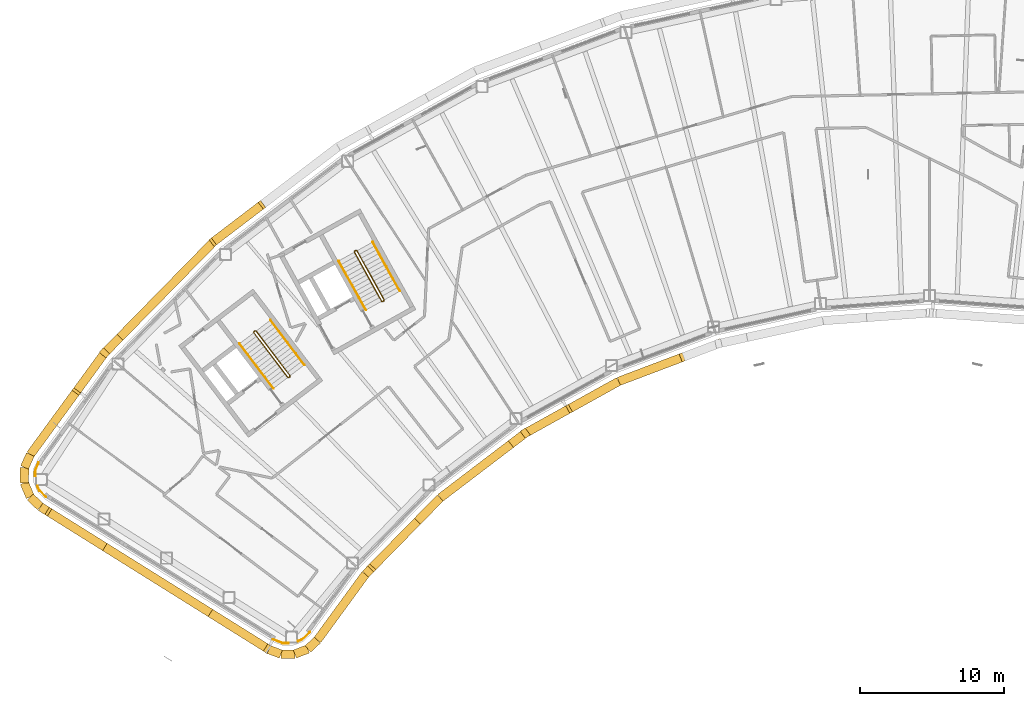
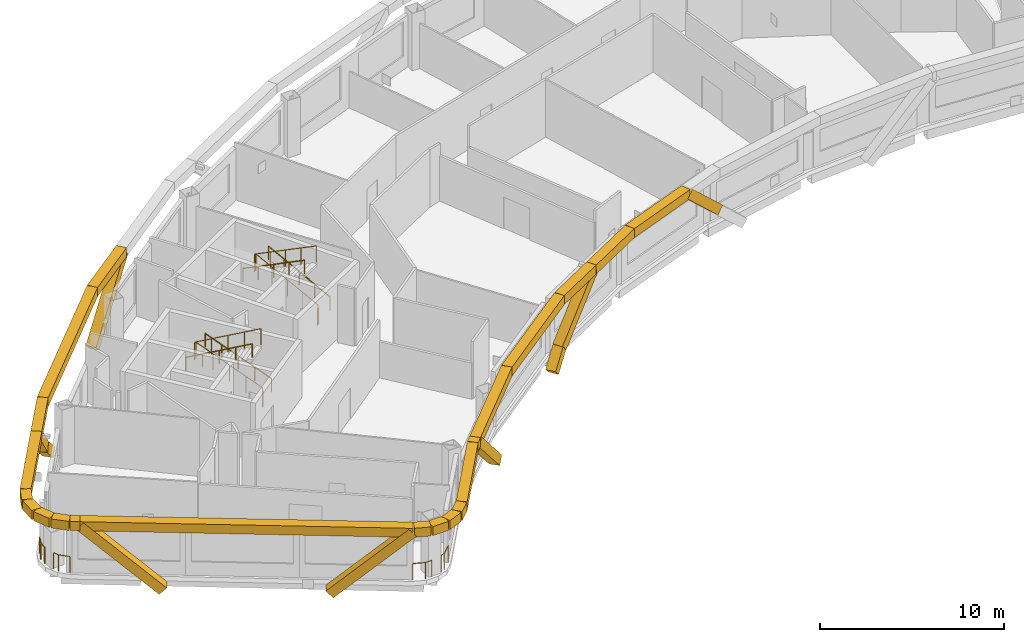
# One storey, part 18 of 21: 30 coverings, 10 railings.
"""IFC4 building model written with IfcOpenShell, lengths in metres."""

import ifcopenshell
import ifcopenshell.guid

model = None  # the IFC model being written
_history = None  # IfcOwnerHistory: only IFC2X3 demands one
_inside = {}  # id of a spatial element -> (the spatial element, [elements in it])
_under = {}  # id of a project, library or spatial element -> (it, [spatial elements below it])
_declared = {}  # id of a project -> (the project, [libraries it declares])
_typed = {}  # id of a type object -> (the type object, [elements of that type])
_made_of = {}  # id of a material, layer set ... -> (it, [elements and type objects made of it])


def new_model(schema):
    """Start an empty IFC model of exactly this schema.

    Asked for "IFC4X3", IfcOpenShell would pick the latest addendum, in which some entities
    have other attributes; the version numbers below select the first issue.
    IFC2X3 requires an IfcOwnerHistory on every rooted entity: one is made here for all.
    """
    global model, _history
    if schema == "IFC4X3":
        model = ifcopenshell.file(schema_version=(4, 3, 0, 0))
    else:
        model = ifcopenshell.file(schema=schema)
    _inside.clear()
    _under.clear()
    _declared.clear()
    _typed.clear()
    _made_of.clear()
    _history = None
    if model.schema == "IFC2X3":
        org = make("IfcOrganization", Name="unknown")
        user = make(
            "IfcPersonAndOrganization",
            ThePerson=make("IfcPerson", FamilyName="unknown"),
            TheOrganization=org,
        )
        app = make(
            "IfcApplication",
            ApplicationDeveloper=org,
            Version="unknown",
            ApplicationFullName="unknown",
            ApplicationIdentifier="unknown",
        )
        _history = make(
            "IfcOwnerHistory",
            OwningUser=user,
            OwningApplication=app,
            ChangeAction="ADDED",
            CreationDate=0,
        )
    return model


def make(cls, **values):
    """One entity of the class cls with the attributes given. An attribute that is None is left unset."""
    return model.create_entity(
        cls, **{name: value for name, value in values.items() if value is not None}
    )


def rooted(cls, **values):
    """An entity with a GlobalId (a new one), such as an element, a storey or a relation."""
    return make(cls, GlobalId=ifcopenshell.guid.new(), OwnerHistory=_history, **values)


def si_unit(unit_type, name, prefix=None):
    """IfcSIUnit, for example si_unit("LENGTHUNIT", "METRE", prefix="MILLI")."""
    return make("IfcSIUnit", UnitType=unit_type, Prefix=prefix, Name=name)


def assignment(units):
    """IfcUnitAssignment: the units of a project."""
    return None if units is None else make("IfcUnitAssignment", Units=units)


def point(xyz):
    """IfcCartesianPoint."""
    return None if xyz is None else make("IfcCartesianPoint", Coordinates=xyz)


def direction(xyz):
    """IfcDirection."""
    return None if xyz is None else make("IfcDirection", DirectionRatios=xyz)


def frame(location, z_axis=None, x_axis=None):
    """IfcAxis2Placement3D, a coordinate frame: its origin and axes. An axis left out is left unset."""
    return make(
        "IfcAxis2Placement3D",
        Location=point(location),
        Axis=direction(z_axis),
        RefDirection=direction(x_axis),
    )


def frame_2d(location, x_axis=None):
    """IfcAxis2Placement2D, a coordinate frame in the plane: its origin and x axis."""
    return make(
        "IfcAxis2Placement2D", Location=point(location), RefDirection=direction(x_axis)
    )


def origin():
    """The frame at (0, 0, 0) with its axes left unset."""
    return frame((0.0, 0.0, 0.0))


def origin_2d():
    """The frame at (0, 0) in the plane with its x axis left unset."""
    return frame_2d((0.0, 0.0))


def place(relative_to, where):
    """IfcLocalPlacement: puts the frame where relative to a parent placement (None: the world)."""
    return make(
        "IfcLocalPlacement", PlacementRelTo=relative_to, RelativePlacement=where
    )


def context(
    kind, dimensions, precision=None, world=None, true_north=None, identifier=None
):
    """IfcGeometricRepresentationContext, for example the 3D "Model" context."""
    return make(
        "IfcGeometricRepresentationContext",
        ContextIdentifier=identifier,
        ContextType=kind,
        CoordinateSpaceDimension=dimensions,
        Precision=precision,
        WorldCoordinateSystem=world,
        TrueNorth=true_north,
    )


def subcontext(parent, identifier, kind, view, scale=None):
    """IfcGeometricRepresentationSubContext, for example "Body" below "Model"."""
    return make(
        "IfcGeometricRepresentationSubContext",
        ContextIdentifier=identifier,
        ContextType=kind,
        ParentContext=parent,
        TargetScale=scale,
        TargetView=view,
    )


def project(units=None, contexts=None):
    """IfcProject with its units and contexts."""
    return rooted(
        "IfcProject",
        Name="project",
        RepresentationContexts=contexts,
        UnitsInContext=assignment(units),
    )


def spatial(cls, under=None, at=None, **own):
    """A site, building, storey or space (cls), placed at a placement, below another one or the project."""
    s = rooted(cls, ObjectPlacement=at, **own)
    if under is not None:
        _under.setdefault(under.id(), (under, []))[1].append(s)
    return s


def profile(cls, at=None, kind="AREA", **sizes):
    """A parametric profile (cls). Its sizes go by their IFC names, for example OverallWidth=200.0."""
    return make(cls, ProfileType=kind, Position=at, **sizes)


def rectangle(**sizes):
    """IfcRectangleProfileDef."""
    return profile("IfcRectangleProfileDef", **sizes)


def circle(**sizes):
    """IfcCircleProfileDef."""
    return profile("IfcCircleProfileDef", **sizes)


def extrude(swept, where, along, depth):
    """IfcExtrudedAreaSolid: the profile swept, set in the frame where, extruded along a direction by depth."""
    return make(
        "IfcExtrudedAreaSolid",
        SweptArea=swept,
        Position=where,
        ExtrudedDirection=direction(along),
        Depth=depth,
    )


def shape(context_of_items, identifier, shape_type, items):
    """IfcShapeRepresentation: the items that make up one representation, for example the "Body"."""
    return make(
        "IfcShapeRepresentation",
        ContextOfItems=context_of_items,
        RepresentationIdentifier=identifier,
        RepresentationType=shape_type,
        Items=items,
    )


def material(Name=None, Category=None):
    """IfcMaterial."""
    return make("IfcMaterial", Name=Name, Category=Category)


def material_profile(
    of_material, cross_section, Name=None, Category=None, Priority=None
):
    """IfcMaterialProfile: a cross section and its material."""
    return make(
        "IfcMaterialProfile",
        Name=Name,
        Material=of_material,
        Profile=cross_section,
        Priority=Priority,
        Category=Category,
    )


def profile_set(profiles, Name=None, composite=None):
    """IfcMaterialProfileSet."""
    return make(
        "IfcMaterialProfileSet",
        Name=Name,
        MaterialProfiles=profiles,
        CompositeProfile=composite,
    )


def made_of(thing, what):
    """Note that an element or type object is made of a material, layer set ...; save() writes the relation."""
    if what is not None:
        _made_of.setdefault(what.id(), (what, []))[1].append(thing)
    return thing


def type_object(cls, material=None, **own):
    """A type object (cls), such as IfcWallType, which elements share."""
    return made_of(rooted(cls, **own), material)


def element(
    cls,
    number,
    at=None,
    inside=None,
    cuts=None,
    type_object=None,
    material=None,
    context=None,
    identifier="Body",
    shape_type=None,
    held_by="IfcProductDefinitionShape",
    body=None,
    shapes=None,
    **own,
):
    """One element of the class cls, such as IfcWall. Its Tag is "e" and its number.

    at: its placement. inside: the storey or other place that contains it. cuts: it is an
    opening in that element (IfcRelVoidsElement). A single representation is given by context,
    identifier, shape_type and body (its items); several are given by shapes. held_by: the class
    of the entity that holds the representations. save() writes the other relations.
    """
    e = rooted(cls, Tag="e%d" % number, ObjectPlacement=at, **own)
    if body is not None:
        shapes = [shape(context, identifier, shape_type, body)]
    if shapes is not None:
        e.Representation = make(held_by, Representations=shapes)
    if inside is not None:
        _inside.setdefault(inside.id(), (inside, []))[1].append(e)
    if cuts is not None:
        rooted(
            "IfcRelVoidsElement", RelatingBuildingElement=cuts, RelatedOpeningElement=e
        )
    if type_object is not None:
        _typed.setdefault(type_object.id(), (type_object, []))[1].append(e)
    return made_of(e, material)


def aggregate(whole, parts):
    """IfcRelAggregates: a whole, such as a stair, and the parts it consists of."""
    return rooted("IfcRelAggregates", RelatingObject=whole, RelatedObjects=parts)


def save(model, path):
    """Write the relations noted so far, then the file.

    IfcRelAggregates (storeys below a building ...), IfcRelContainedInSpatialStructure (elements
    in a storey), IfcRelDefinesByType, IfcRelAssociatesMaterial and IfcRelDeclares: one each for
    every whole, place, type object, material and project.
    """
    for whole, parts in _under.values():
        aggregate(whole, parts)
    for where, things in _inside.values():
        rooted(
            "IfcRelContainedInSpatialStructure",
            RelatedElements=things,
            RelatingStructure=where,
        )
    for kind, things in _typed.values():
        rooted("IfcRelDefinesByType", RelatedObjects=things, RelatingType=kind)
    for what, things in _made_of.values():
        rooted("IfcRelAssociatesMaterial", RelatedObjects=things, RelatingMaterial=what)
    for by, libraries in _declared.values():
        rooted("IfcRelDeclares", RelatingContext=by, RelatedDefinitions=libraries)
    model.write(path)


model = new_model("IFC4")

# Units and contexts
model_context = context("Model", 3, precision=1e-05, world=origin(), true_north=direction((0.0, 1.0)))
body_context = subcontext(model_context, "Body", "Model", "MODEL_VIEW")
ifc_project = project(units=[si_unit("LENGTHUNIT", "METRE"), si_unit("AREAUNIT", "SQUARE_METRE"), si_unit("VOLUMEUNIT", "CUBIC_METRE"), si_unit("PLANEANGLEUNIT", "RADIAN"), si_unit("MASSUNIT", "GRAM", prefix="KILO")], contexts=[model_context])

# Site, building, storey
site_placement = place(None, origin())
site = spatial("IfcSite", under=ifc_project, at=site_placement, CompositionType="ELEMENT")
building_placement = place(site_placement, origin())
building = spatial("IfcBuilding", under=site, at=building_placement, Name="Tuul Gate Civic Tower", CompositionType="ELEMENT")
storey_placement = place(building_placement, frame((0.0, 0.0, 273.60009765625)))
storey = spatial("IfcBuildingStorey", under=building, at=storey_placement, Name="Level 62", CompositionType="ELEMENT", Elevation=273.60009765625)

# Railings
ifc_material_1 = material(Name="Stainless steel", Category="steel")
railing_type_1 = type_object("IfcRailingType", Name="Edge guard", PredefinedType="GUARDRAIL", material=ifc_material_1)
railing_1_placement = place(storey_placement, frame((-50.83740234375, -19.476806640625, 0.0)))
element("IfcRailing", 1, at=railing_1_placement, inside=storey, type_object=railing_type_1, Name="Guard", PredefinedType="GUARDRAIL", context=body_context, shape_type="SweptSolid", body=[
    extrude(circle(Radius=0.02392578125, at=origin_2d()), frame((0.0, 0.0, 1.076171875), z_axis=(-0.412055473919, -0.911158760268, 0.0), x_axis=(0.911158760268, -0.412055473919, 0.0)), (0.0, 0.0, 1.0), 0.55810546875),
    extrude(circle(Radius=0.02392578125, at=origin_2d()), frame((-0.22998046875, -0.508544921875, 1.076171875), z_axis=(-0.014779511202, -0.999890777059, 0.0), x_axis=(0.999890777059, -0.014779511202, 0.0)), (0.0, 0.0, 1.0), 0.429443359375),
    extrude(circle(Radius=0.02099609375, at=origin_2d()), origin(), (0.0, 0.0, 1.0), 1.052001953125),
    extrude(circle(Radius=0.02099609375, at=origin_2d()), frame((-0.22998046875, -0.508544921875, 0.0)), (0.0, 0.0, 1.0), 1.052001953125),
    extrude(circle(Radius=0.02099609375, at=origin_2d()), frame((-0.236328125, -0.93798828125, 0.0)), (0.0, 0.0, 1.0), 1.052001953125),
])
railing_2_placement = place(storey_placement, frame((-50.9189453125, -21.1201171875, 0.0)))
element("IfcRailing", 2, at=railing_2_placement, inside=storey, type_object=railing_type_1, Name="Guard", PredefinedType="GUARDRAIL", context=body_context, shape_type="SweptSolid", body=[
    extrude(circle(Radius=0.02392578125, at=origin_2d()), frame((0.0, 0.0, 1.076171875), z_axis=(0.38670695725, -0.922202650839, 0.0), x_axis=(0.922202650839, 0.38670695725, 0.0)), (0.0, 0.0, 1.0), 0.339599609375),
    extrude(circle(Radius=0.02392578125, at=origin_2d()), frame((0.13134765625, -0.313232421875, 1.076171875), z_axis=(0.721650837963, -0.692257226808, 0.0), x_axis=(0.692257226808, 0.721650837963, 0.0)), (0.0, 0.0, 1.0), 0.64794921875),
    extrude(circle(Radius=0.02099609375, at=origin_2d()), origin(), (0.0, 0.0, 1.0), 1.052001953125),
    extrude(circle(Radius=0.02099609375, at=origin_2d()), frame((0.13134765625, -0.313232421875, 0.0)), (0.0, 0.0, 1.0), 1.052001953125),
    extrude(circle(Radius=0.02099609375, at=origin_2d()), frame((0.598876953125, -0.76171875, 0.0)), (0.0, 0.0, 1.0), 1.052001953125),
])
railing_3_placement = place(storey_placement, frame((-34.546630859375, -31.767333984375, 0.0)))
element("IfcRailing", 3, at=railing_3_placement, inside=storey, type_object=railing_type_1, Name="Guard", PredefinedType="GUARDRAIL", context=body_context, shape_type="SweptSolid", body=[
    extrude(circle(Radius=0.02392578125, at=origin_2d()), frame((0.0, 0.0, 1.076171875), z_axis=(0.929818626169, -0.36801810068, 0.0), x_axis=(0.36801810068, 0.929818626169, 0.0)), (0.0, 0.0, 1.0), 0.724365234375),
    extrude(circle(Radius=0.02392578125, at=origin_2d()), frame((0.673583984375, -0.2666015625, 1.076171875), z_axis=(0.999996867188, 0.002503121069, 0.0), x_axis=(-0.002503121069, 0.999996867188, 0.0)), (0.0, 0.0, 1.0), 0.39013671875),
    extrude(circle(Radius=0.02099609375, at=origin_2d()), origin(), (0.0, 0.0, 1.0), 1.052001953125),
    extrude(circle(Radius=0.02099609375, at=origin_2d()), frame((0.673583984375, -0.2666015625, 0.0)), (0.0, 0.0, 1.0), 1.052001953125),
    extrude(circle(Radius=0.02099609375, at=origin_2d()), frame((1.063720703125, -0.265625, 0.0)), (0.0, 0.0, 1.0), 1.052001953125),
])
railing_4_placement = place(storey_placement, frame((-32.81787109375, -31.88623046875, 0.0)))
element("IfcRailing", 4, at=railing_4_placement, inside=storey, type_object=railing_type_1, Name="Guard", PredefinedType="GUARDRAIL", context=body_context, shape_type="SweptSolid", body=[
    extrude(circle(Radius=0.02392578125, at=origin_2d()), frame((0.0, 0.0, 1.076171875), z_axis=(0.929236264052, 0.369486083055, 0.0), x_axis=(-0.369486083055, 0.929236264052, 0.0)), (0.0, 0.0, 1.0), 0.287353515625),
    extrude(circle(Radius=0.02392578125, at=origin_2d()), frame((0.26708984375, 0.106201171875, 1.076171875), z_axis=(0.731330397195, 0.682023350142, 0.0), x_axis=(-0.682023350142, 0.731330397195, 0.0)), (0.0, 0.0, 1.0), 0.7080078125),
    extrude(circle(Radius=0.02392578125, at=origin_2d()), frame((0.784912109375, 0.589111328125, 1.076171875), z_axis=(0.590903378141, 0.806742336624, 0.0), x_axis=(-0.806742336624, 0.590903378141, 0.0)), (0.0, 0.0, 1.0), 0.069091796875),
    extrude(circle(Radius=0.02099609375, at=origin_2d()), origin(), (0.0, 0.0, 1.0), 1.052001953125),
    extrude(circle(Radius=0.02099609375, at=origin_2d()), frame((0.26708984375, 0.106201171875, 0.0)), (0.0, 0.0, 1.0), 1.052001953125),
    extrude(circle(Radius=0.02099609375, at=origin_2d()), frame((0.784912109375, 0.589111328125, 0.0)), (0.0, 0.0, 1.0), 1.052001953125),
    extrude(circle(Radius=0.02099609375, at=origin_2d()), frame((0.82568359375, 0.644775390625, 0.0)), (0.0, 0.0, 1.0), 1.052001953125),
])
ifc_material_2 = material(Name="Painted steel", Category="steel")
railing_type_2 = type_object("IfcRailingType", Name="Stair guard", PredefinedType="GUARDRAIL", material=ifc_material_2)
railing_5_placement = place(storey_placement, frame((-33.382080078125, -13.515380859375, 0.0)))
element("IfcRailing", 5, at=railing_5_placement, inside=storey, type_object=railing_type_2, Name="Level 62 ST-1 stair guard 1", PredefinedType="GUARDRAIL", context=body_context, shape_type="SweptSolid", body=[
    extrude(circle(Radius=0.02392578125, at=origin_2d()), frame((0.0, 0.0, 1.076171875), z_axis=(-0.795879841968, -0.605454603706, 0.0), x_axis=(0.605454603706, -0.795879841968, 0.0)), (0.0, 0.0, 1.0), 0.10009765625),
    extrude(circle(Radius=0.02392578125, at=origin_2d()), frame((-0.07958984375, -0.060546875, 1.076171875), z_axis=(0.408991890351, 0.599481263939, 0.688002796371), x_axis=(-0.826063974707, 0.563576356576, 0.0)), (0.0, 0.0, 1.0), 0.2177734375),
    extrude(circle(Radius=0.02392578125, at=origin_2d()), frame((0.009521484375, 0.070068359375, 1.22607421875), z_axis=(-0.541824460341, 0.711645023348, 0.447199748346), x_axis=(-0.795637165283, -0.60577347352, 0.0)), (0.0, 0.0, 1.0), 4.3603515625),
    extrude(circle(Radius=0.02392578125, at=origin_2d()), frame((-2.35302734375, 3.173095703125, 3.17578125), z_axis=(-0.990893089246, 0.134650977284, 0.0), x_axis=(-0.134650977284, -0.990893089246, 0.0)), (0.0, 0.0, 1.0), 0.07080078125),
    extrude(circle(Radius=0.02392578125, at=origin_2d()), frame((-2.423095703125, 3.1826171875, 3.17578125), z_axis=(-0.793802879778, -0.60817512943, 0.0), x_axis=(0.60817512943, -0.793802879778, 0.0)), (0.0, 0.0, 1.0), 0.099853515625),
    extrude(circle(Radius=0.02392578125, at=origin_2d()), frame((-2.50244140625, 3.121826171875, 3.17578125), z_axis=(-0.057370624079, -0.422188951554, 0.904690610473), x_axis=(0.990893089246, -0.134650977284, 0.0)), (0.0, 0.0, 1.0), 0.166015625),
    extrude(circle(Radius=0.02392578125, at=origin_2d()), frame((-2.511962890625, 3.0517578125, 3.326171875), z_axis=(0.541806494602, -0.71163897684, 0.447231136047), x_axis=(0.795644365679, 0.605764016233, 0.0)), (0.0, 0.0, 1.0), 4.360107421875),
    extrude(circle(Radius=0.02099609375, at=origin_2d()), origin(), (0.0, 0.0, 1.0), 1.052001953125),
    extrude(circle(Radius=0.02099609375, at=origin_2d()), frame((-0.07958984375, -0.060546875, 0.0)), (0.0, 0.0, 1.0), 1.052001953125),
    extrude(circle(Radius=0.02099609375, at=origin_2d()), frame((0.009521484375, 0.070068359375, 0.14990234375)), (0.0, 0.0, 1.0), 1.052001953125),
    extrude(circle(Radius=0.02099609375, at=origin_2d()), frame((-0.5810546875, 0.845703125, 0.637451171875)), (0.0, 0.0, 1.0), 1.052001953125),
    extrude(circle(Radius=0.02099609375, at=origin_2d()), frame((-1.171875, 1.62158203125, 1.125)), (0.0, 0.0, 1.0), 1.052001953125),
    extrude(circle(Radius=0.02099609375, at=origin_2d()), frame((-1.762451171875, 2.3974609375, 1.6123046875)), (0.0, 0.0, 1.0), 1.052001953125),
    extrude(circle(Radius=0.02099609375, at=origin_2d()), frame((-2.35302734375, 3.173095703125, 2.099853515625)), (0.0, 0.0, 1.0), 1.052001953125),
    extrude(circle(Radius=0.02099609375, at=origin_2d()), frame((-2.423095703125, 3.1826171875, 2.099853515625)), (0.0, 0.0, 1.0), 1.052001953125),
    extrude(circle(Radius=0.02099609375, at=origin_2d()), frame((-2.50244140625, 3.121826171875, 2.099853515625)), (0.0, 0.0, 1.0), 1.052001953125),
    extrude(circle(Radius=0.02099609375, at=origin_2d()), frame((-2.511962890625, 3.0517578125, 2.25)), (0.0, 0.0, 1.0), 1.052001953125),
    extrude(circle(Radius=0.02099609375, at=origin_2d()), frame((-1.92138671875, 2.276123046875, 2.737548828125)), (0.0, 0.0, 1.0), 1.052001953125),
    extrude(circle(Radius=0.02099609375, at=origin_2d()), frame((-1.330810546875, 1.50048828125, 3.22509765625)), (0.0, 0.0, 1.0), 1.052001953125),
    extrude(circle(Radius=0.02099609375, at=origin_2d()), frame((-0.740234375, 0.724609375, 3.71240234375)), (0.0, 0.0, 1.0), 1.052001953125),
    extrude(circle(Radius=0.02099609375, at=origin_2d()), frame((-0.149658203125, -0.051025390625, 4.199951171875)), (0.0, 0.0, 1.0), 1.052001953125),
])
railing_6_placement = place(storey_placement, frame((-26.857666015625, -8.247314453125, 0.0)))
element("IfcRailing", 6, at=railing_6_placement, inside=storey, type_object=railing_type_2, Name="Level 62 ST-2 stair guard 1", PredefinedType="GUARDRAIL", context=body_context, shape_type="SweptSolid", body=[
    extrude(circle(Radius=0.02392578125, at=origin_2d()), frame((0.0, 0.0, 1.076171875), z_axis=(-0.874616555828, -0.48481530532, 0.0), x_axis=(0.48481530532, -0.874616555828, 0.0)), (0.0, 0.0, 1.0), 0.10009765625),
    extrude(circle(Radius=0.02392578125, at=origin_2d()), frame((-0.087646484375, -0.048583984375, 1.076171875), z_axis=(0.49081399482, 0.534516610797, 0.688036056665), x_axis=(-0.736576986774, 0.676353711126, 0.0)), (0.0, 0.0, 1.0), 0.2177734375),
    extrude(circle(Radius=0.02392578125, at=origin_2d()), frame((0.019287109375, 0.06787109375, 1.22607421875), z_axis=(-0.43354991378, 0.782327185242, 0.447212083348), x_axis=(-0.874667644053, -0.484723129681, 0.0)), (0.0, 0.0, 1.0), 4.3603515625),
    extrude(circle(Radius=0.02392578125, at=origin_2d()), frame((-1.87109375, 3.47900390625, 3.17578125), z_axis=(-0.961263487578, 0.275631107549, 0.0), x_axis=(-0.275631107549, -0.961263487578, 0.0)), (0.0, 0.0, 1.0), 0.07080078125),
    extrude(circle(Radius=0.02392578125, at=origin_2d()), frame((-1.939208984375, 3.49853515625, 3.17578125), z_axis=(-0.874042088414, -0.485850211157, 0.0), x_axis=(0.485850211157, -0.874042088414, 0.0)), (0.0, 0.0, 1.0), 0.10009765625),
    extrude(circle(Radius=0.02392578125, at=origin_2d()), frame((-2.026611328125, 3.449951171875, 3.17578125), z_axis=(-0.117709570447, -0.409040757305, 0.904892322815), x_axis=(0.961000426733, -0.276546885391, 0.0)), (0.0, 0.0, 1.0), 0.166015625),
    extrude(circle(Radius=0.02392578125, at=origin_2d()), frame((-2.046142578125, 3.382080078125, 3.326171875), z_axis=(0.433595379963, -0.782308193291, 0.447201226726), x_axis=(0.874641102302, 0.484771020343, 0.0)), (0.0, 0.0, 1.0), 4.3603515625),
    extrude(circle(Radius=0.02099609375, at=origin_2d()), origin(), (0.0, 0.0, 1.0), 1.052001953125),
    extrude(circle(Radius=0.02099609375, at=origin_2d()), frame((-0.087646484375, -0.048583984375, 0.0)), (0.0, 0.0, 1.0), 1.052001953125),
    extrude(circle(Radius=0.02099609375, at=origin_2d()), frame((0.019287109375, 0.06787109375, 0.14990234375)), (0.0, 0.0, 1.0), 1.052001953125),
    extrude(circle(Radius=0.02099609375, at=origin_2d()), frame((-0.453369140625, 0.920654296875, 0.637451171875)), (0.0, 0.0, 1.0), 1.052001953125),
    extrude(circle(Radius=0.02099609375, at=origin_2d()), frame((-0.92578125, 1.7734375, 1.125)), (0.0, 0.0, 1.0), 1.052001953125),
    extrude(circle(Radius=0.02099609375, at=origin_2d()), frame((-1.3984375, 2.626220703125, 1.6123046875)), (0.0, 0.0, 1.0), 1.052001953125),
    extrude(circle(Radius=0.02099609375, at=origin_2d()), frame((-1.87109375, 3.47900390625, 2.099853515625)), (0.0, 0.0, 1.0), 1.052001953125),
    extrude(circle(Radius=0.02099609375, at=origin_2d()), frame((-1.939208984375, 3.49853515625, 2.099853515625)), (0.0, 0.0, 1.0), 1.052001953125),
    extrude(circle(Radius=0.02099609375, at=origin_2d()), frame((-2.026611328125, 3.449951171875, 2.099853515625)), (0.0, 0.0, 1.0), 1.052001953125),
    extrude(circle(Radius=0.02099609375, at=origin_2d()), frame((-2.046142578125, 3.382080078125, 2.25)), (0.0, 0.0, 1.0), 1.052001953125),
    extrude(circle(Radius=0.02099609375, at=origin_2d()), frame((-1.573486328125, 2.529296875, 2.737548828125)), (0.0, 0.0, 1.0), 1.052001953125),
    extrude(circle(Radius=0.02099609375, at=origin_2d()), frame((-1.100830078125, 1.676513671875, 3.22509765625)), (0.0, 0.0, 1.0), 1.052001953125),
    extrude(circle(Radius=0.02099609375, at=origin_2d()), frame((-0.628173828125, 0.82373046875, 3.71240234375)), (0.0, 0.0, 1.0), 1.052001953125),
    extrude(circle(Radius=0.02099609375, at=origin_2d()), frame((-0.155517578125, -0.029052734375, 4.199951171875)), (0.0, 0.0, 1.0), 1.052001953125),
])
ifc_material_3 = material(Name="Painted steel", Category="steel")
railing_type_3 = type_object("IfcRailingType", Name="Stair handrail", PredefinedType="HANDRAIL", material=ifc_material_3)
railing_7_placement = place(storey_placement, frame((-32.3779296875, -12.688232421875, 0.14990234375)))
element("IfcRailing", 7, at=railing_7_placement, inside=storey, type_object=railing_type_3, Name="Level 62 ST-1 stair handrail 1", PredefinedType="HANDRAIL", context=body_context, shape_type="SweptSolid", body=[
    extrude(circle(Radius=0.02392578125, at=origin_2d()), frame((0.0, 0.0, 0.8759765625), z_axis=(-0.541824460341, 0.711645023348, 0.447199748346), x_axis=(-0.795637165283, -0.60577347352, 0.0)), (0.0, 0.0, 1.0), 4.3603515625),
    extrude(circle(Radius=0.02099609375, at=origin_2d()), origin(), (0.0, 0.0, 1.0), 0.851806640625),
    extrude(circle(Radius=0.02099609375, at=origin_2d()), frame((-0.590576171875, 0.77587890625, 0.487548828125)), (0.0, 0.0, 1.0), 0.851806640625),
    extrude(circle(Radius=0.02099609375, at=origin_2d()), frame((-1.18115234375, 1.551513671875, 0.97509765625)), (0.0, 0.0, 1.0), 0.851806640625),
    extrude(circle(Radius=0.02099609375, at=origin_2d()), frame((-1.77197265625, 2.3271484375, 1.46240234375)), (0.0, 0.0, 1.0), 0.851806640625),
    extrude(circle(Radius=0.02099609375, at=origin_2d()), frame((-2.362548828125, 3.10302734375, 1.949951171875)), (0.0, 0.0, 1.0), 0.851806640625),
])
railing_8_placement = place(storey_placement, frame((-36.888671875, -11.220703125, 2.25)))
element("IfcRailing", 8, at=railing_8_placement, inside=storey, type_object=railing_type_3, Name="Level 62 ST-1 stair handrail 2", PredefinedType="HANDRAIL", context=body_context, shape_type="SweptSolid", body=[
    extrude(circle(Radius=0.02392578125, at=origin_2d()), frame((0.0, 0.0, 0.8759765625), z_axis=(0.541824460341, -0.711645023348, 0.447199748346), x_axis=(0.795637165283, 0.60577347352, 0.0)), (0.0, 0.0, 1.0), 4.3603515625),
    extrude(circle(Radius=0.02099609375, at=origin_2d()), origin(), (0.0, 0.0, 1.0), 0.851806640625),
    extrude(circle(Radius=0.02099609375, at=origin_2d()), frame((0.590576171875, -0.77587890625, 0.487548828125)), (0.0, 0.0, 1.0), 0.851806640625),
    extrude(circle(Radius=0.02099609375, at=origin_2d()), frame((1.18115234375, -1.551513671875, 0.97509765625)), (0.0, 0.0, 1.0), 0.851806640625),
    extrude(circle(Radius=0.02099609375, at=origin_2d()), frame((1.77197265625, -2.3271484375, 1.46240234375)), (0.0, 0.0, 1.0), 0.851806640625),
    extrude(circle(Radius=0.02099609375, at=origin_2d()), frame((2.362548828125, -3.10302734375, 1.949951171875)), (0.0, 0.0, 1.0), 0.851806640625),
])
railing_9_placement = place(storey_placement, frame((-25.744873046875, -7.573486328125, 0.14990234375)))
element("IfcRailing", 9, at=railing_9_placement, inside=storey, type_object=railing_type_3, Name="Level 62 ST-2 stair handrail 1", PredefinedType="HANDRAIL", context=body_context, shape_type="SweptSolid", body=[
    extrude(circle(Radius=0.02392578125, at=origin_2d()), frame((0.0, 0.0, 0.8759765625), z_axis=(-0.433595379963, 0.782308193291, 0.447201226726), x_axis=(-0.874641102302, -0.484771020343, 0.0)), (0.0, 0.0, 1.0), 4.3603515625),
    extrude(circle(Radius=0.02099609375, at=origin_2d()), origin(), (0.0, 0.0, 1.0), 0.851806640625),
    extrude(circle(Radius=0.02099609375, at=origin_2d()), frame((-0.47265625, 0.852783203125, 0.487548828125)), (0.0, 0.0, 1.0), 0.851806640625),
    extrude(circle(Radius=0.02099609375, at=origin_2d()), frame((-0.9453125, 1.70556640625, 0.97509765625)), (0.0, 0.0, 1.0), 0.851806640625),
    extrude(circle(Radius=0.02099609375, at=origin_2d()), frame((-1.41796875, 2.558349609375, 1.46240234375)), (0.0, 0.0, 1.0), 0.851806640625),
    extrude(circle(Radius=0.02099609375, at=origin_2d()), frame((-1.890625, 3.4111328125, 1.949951171875)), (0.0, 0.0, 1.0), 0.851806640625),
])
railing_10_placement = place(storey_placement, frame((-29.9970703125, -5.47119140625, 2.25)))
element("IfcRailing", 10, at=railing_10_placement, inside=storey, type_object=railing_type_3, Name="Level 62 ST-2 stair handrail 2", PredefinedType="HANDRAIL", context=body_context, shape_type="SweptSolid", body=[
    extrude(circle(Radius=0.02392578125, at=origin_2d()), frame((0.0, 0.0, 0.8759765625), z_axis=(0.433595379963, -0.782308193291, 0.447201226726), x_axis=(0.874641102302, 0.484771020343, 0.0)), (0.0, 0.0, 1.0), 4.3603515625),
    extrude(circle(Radius=0.02099609375, at=origin_2d()), origin(), (0.0, 0.0, 1.0), 0.851806640625),
    extrude(circle(Radius=0.02099609375, at=origin_2d()), frame((0.47265625, -0.852783203125, 0.487548828125)), (0.0, 0.0, 1.0), 0.851806640625),
    extrude(circle(Radius=0.02099609375, at=origin_2d()), frame((0.9453125, -1.70556640625, 0.97509765625)), (0.0, 0.0, 1.0), 0.851806640625),
    extrude(circle(Radius=0.02099609375, at=origin_2d()), frame((1.41796875, -2.558349609375, 1.46240234375)), (0.0, 0.0, 1.0), 0.851806640625),
    extrude(circle(Radius=0.02099609375, at=origin_2d()), frame((1.890625, -3.4111328125, 1.949951171875)), (0.0, 0.0, 1.0), 0.851806640625),
])

# Coverings
ifc_material_4 = material(Name="Terracotta baguette", Category="masonry")
ifc_material_profile = material_profile(ifc_material_4, rectangle(XDim=0.60009765625, YDim=0.60009765625, at=origin_2d()), Name="Terracotta baguette screen frame")
ifc_profile_set = profile_set([ifc_material_profile], Name="Terracotta baguette")
covering_type = type_object("IfcCoveringType", Name="Terracotta baguette screen frame", PredefinedType="CLADDING", material=ifc_profile_set)
covering_1_placement = place(storey_placement, frame((-35.410400390625, -1.63818359375, 3.849853515625), z_axis=(-0.583833258979, -0.444503934582, -0.679378376055), x_axis=(0.605766045279, -0.79564282086, 0.0)))
element("IfcCovering", 11, at=covering_1_placement, inside=storey, type_object=covering_type, Name="Baguette 113", PredefinedType="CLADDING", context=body_context, shape_type="SweptSolid", body=[
    extrude(rectangle(XDim=0.60009765625, YDim=0.60009765625, at=origin_2d()), origin(), (0.0, 0.0, 1.0), 5.5703125),
])
covering_2_placement = place(storey_placement, frame((-45.327392578125, -10.913818359375, -0.35009765625), z_axis=(-0.513633341311, -0.524002970908, 0.679412744341), x_axis=(0.714137600713, -0.700005348013, 0.0)))
element("IfcCovering", 12, at=covering_2_placement, inside=storey, type_object=covering_type, Name="Baguette 127", PredefinedType="CLADDING", context=body_context, shape_type="SweptSolid", body=[
    extrude(rectangle(XDim=0.60009765625, YDim=0.60009765625, at=origin_2d()), origin(), (0.0, 0.0, 1.0), 1.81298828125),
])
covering_3_placement = place(storey_placement, frame((-46.258544921875, -11.86376953125, 0.881591796875), z_axis=(-0.433830207168, -0.593932221965, 0.677521857257), x_axis=(0.807518817667, -0.589841808551, 0.0)))
element("IfcCovering", 13, at=covering_3_placement, inside=storey, type_object=covering_type, Name="Baguette 128", PredefinedType="CLADDING", context=body_context, shape_type="SweptSolid", body=[
    extrude(rectangle(XDim=0.60009765625, YDim=0.60009765625, at=origin_2d()), origin(), (0.0, 0.0, 1.0), 4.381103515625),
])
covering_4_placement = place(storey_placement, frame((-48.1591796875, -14.4658203125, 3.849853515625), z_axis=(-0.589803348116, -0.807546909196, 0.0), x_axis=(0.807546909196, -0.589803348116, 0.0)))
element("IfcCovering", 14, at=covering_4_placement, inside=storey, type_object=covering_type, Name="Baguette 141", PredefinedType="CLADDING", context=body_context, shape_type="SweptSolid", body=[
    extrude(rectangle(XDim=0.60009765625, YDim=0.60009765625, at=origin_2d()), origin(), (0.0, 0.0, 1.0), 5.511962890625),
])
covering_5_placement = place(storey_placement, frame((-51.41015625, -18.9169921875, 3.849853515625), z_axis=(-0.4130215853, -0.910721236206, 0.0), x_axis=(0.910721236206, -0.4130215853, 0.0)))
element("IfcCovering", 15, at=covering_5_placement, inside=storey, type_object=covering_type, Name="Baguette 142", PredefinedType="CLADDING", context=body_context, shape_type="SweptSolid", body=[
    extrude(rectangle(XDim=0.60009765625, YDim=0.60009765625, at=origin_2d()), origin(), (0.0, 0.0, 1.0), 0.989013671875),
])
covering_6_placement = place(storey_placement, frame((-51.818603515625, -19.817626953125, 3.849853515625), z_axis=(-0.014650442147, -0.999892676513, 0.0), x_axis=(0.999892676513, -0.014650442147, 0.0)))
element("IfcCovering", 16, at=covering_6_placement, inside=storey, type_object=covering_type, Name="Baguette 143", PredefinedType="CLADDING", context=body_context, shape_type="SweptSolid", body=[
    extrude(rectangle(XDim=0.60009765625, YDim=0.60009765625, at=origin_2d()), origin(), (0.0, 0.0, 1.0), 1.06640625),
])
covering_7_placement = place(storey_placement, frame((-51.834228515625, -20.884033203125, 3.849853515625), z_axis=(0.385378072861, -0.922758766394, 0.0), x_axis=(0.922758766394, 0.385378072861, 0.0)))
element("IfcCovering", 17, at=covering_7_placement, inside=storey, type_object=covering_type, Name="Baguette 144", PredefinedType="CLADDING", context=body_context, shape_type="SweptSolid", body=[
    extrude(rectangle(XDim=0.60009765625, YDim=0.60009765625, at=origin_2d()), origin(), (0.0, 0.0, 1.0), 1.068115234375),
])
covering_8_placement = place(storey_placement, frame((-51.422607421875, -21.86962890625, 3.849853515625), z_axis=(0.722749211147, -0.69111039479, 0.0), x_axis=(0.69111039479, 0.722749211147, 0.0)))
element("IfcCovering", 18, at=covering_8_placement, inside=storey, type_object=covering_type, Name="Baguette 145", PredefinedType="CLADDING", context=body_context, shape_type="SweptSolid", body=[
    extrude(rectangle(XDim=0.60009765625, YDim=0.60009765625, at=origin_2d()), origin(), (0.0, 0.0, 1.0), 0.98779296875),
])
covering_9_placement = place(storey_placement, frame((-50.708740234375, -22.55224609375, 3.849853515625), z_axis=(0.848151153027, -0.529754303067, 0.0), x_axis=(0.529754303067, 0.848151153027, 0.0)))
element("IfcCovering", 19, at=covering_9_placement, inside=storey, type_object=covering_type, Name="Baguette 146", PredefinedType="CLADDING", context=body_context, shape_type="SweptSolid", body=[
    extrude(rectangle(XDim=0.60009765625, YDim=0.60009765625, at=origin_2d()), origin(), (0.0, 0.0, 1.0), 0.538330078125),
])
for number, where, z_axis, x_axis, name in (
    (20, (-50.252197265625, -22.83740234375, 3.849853515625), (0.621624583787, -0.388505480237, -0.680181129302), (0.529989243351, 0.848004364336, 0.0), "Baguette 148"),
    (21, (-38.736572265625, -30.033935546875, -0.35009765625), (0.62165839142, -0.388462360599, 0.68017485897), (0.529926214669, 0.848043753002, 0.0), "Baguette 156"),
):
    element("IfcCovering", number, at=place(storey_placement, frame(where, z_axis=z_axis, x_axis=x_axis)), inside=storey, type_object=covering_type, Name=name, PredefinedType="CLADDING", context=body_context, shape_type="SweptSolid", body=[
        extrude(rectangle(XDim=0.60009765625, YDim=0.60009765625, at=origin_2d()), origin(), (0.0, 0.0, 1.0), 6.1748046875),
    ])
covering_10_placement = place(storey_placement, frame((-34.853759765625, -32.460205078125, 3.849853515625), z_axis=(0.93181662135, -0.362929447932, 0.0), x_axis=(0.362929447932, 0.93181662135, 0.0)))
element("IfcCovering", 22, at=covering_10_placement, inside=storey, type_object=covering_type, Name="Baguette 172", PredefinedType="CLADDING", context=body_context, shape_type="SweptSolid", body=[
    extrude(rectangle(XDim=0.60009765625, YDim=0.60009765625, at=origin_2d()), origin(), (0.0, 0.0, 1.0), 0.902099609375),
])
covering_11_placement = place(storey_placement, frame((-34.01318359375, -32.78759765625, 3.849853515625), z_axis=(0.999990900757, 0.004265958673, 0.0), x_axis=(-0.004265958673, 0.999990900757, 0.0)))
element("IfcCovering", 23, at=covering_11_placement, inside=storey, type_object=covering_type, Name="Baguette 173", PredefinedType="CLADDING", context=body_context, shape_type="SweptSolid", body=[
    extrude(rectangle(XDim=0.60009765625, YDim=0.60009765625, at=origin_2d()), origin(), (0.0, 0.0, 1.0), 0.972900390625),
])
covering_12_placement = place(storey_placement, frame((-33.040283203125, -32.783447265625, 3.849853515625), z_axis=(0.929665294904, 0.368405265232, 0.0), x_axis=(-0.368405265232, 0.929665294904, 0.0)))
element("IfcCovering", 24, at=covering_12_placement, inside=storey, type_object=covering_type, Name="Baguette 174", PredefinedType="CLADDING", context=body_context, shape_type="SweptSolid", body=[
    extrude(rectangle(XDim=0.60009765625, YDim=0.60009765625, at=origin_2d()), origin(), (0.0, 0.0, 1.0), 0.973388671875),
])
covering_13_placement = place(storey_placement, frame((-32.13525390625, -32.4248046875, 3.849853515625), z_axis=(0.730001285686, 0.683445771731, 0.0), x_axis=(-0.683445771731, 0.730001285686, 0.0)))
element("IfcCovering", 25, at=covering_13_placement, inside=storey, type_object=covering_type, Name="Baguette 175", PredefinedType="CLADDING", context=body_context, shape_type="SweptSolid", body=[
    extrude(rectangle(XDim=0.60009765625, YDim=0.60009765625, at=origin_2d()), origin(), (0.0, 0.0, 1.0), 0.902099609375),
])
covering_14_placement = place(storey_placement, frame((-31.476806640625, -31.808349609375, 3.849853515625), z_axis=(0.589729447422, 0.807600878432, 0.0), x_axis=(-0.807600878432, 0.589729447422, 0.0)))
element("IfcCovering", 26, at=covering_14_placement, inside=storey, type_object=covering_type, Name="Baguette 176", PredefinedType="CLADDING", context=body_context, shape_type="SweptSolid", body=[
    extrude(rectangle(XDim=0.60009765625, YDim=0.60009765625, at=origin_2d()), origin(), (0.0, 0.0, 1.0), 5.671142578125),
])
covering_15_placement = place(storey_placement, frame((-28.13232421875, -27.228271484375, 3.849853515625), z_axis=(0.69989931795, 0.714241517088, 0.0), x_axis=(-0.714241517088, 0.69989931795, 0.0)))
element("IfcCovering", 27, at=covering_15_placement, inside=storey, type_object=covering_type, Name="Baguette 177", PredefinedType="CLADDING", context=body_context, shape_type="SweptSolid", body=[
    extrude(rectangle(XDim=0.60009765625, YDim=0.60009765625, at=origin_2d()), origin(), (0.0, 0.0, 1.0), 0.5107421875),
])
covering_16_placement = place(storey_placement, frame((-27.77490234375, -26.863525390625, 3.849853515625), z_axis=(0.507801056975, 0.518004293089, -0.688338317164), x_axis=(-0.714104738574, 0.700038872025, 0.0)))
element("IfcCovering", 28, at=covering_16_placement, inside=storey, type_object=covering_type, Name="Baguette 179", PredefinedType="CLADDING", context=body_context, shape_type="SweptSolid", body=[
    extrude(rectangle(XDim=0.60009765625, YDim=0.60009765625, at=origin_2d()), origin(), (0.0, 0.0, 1.0), 6.1015625),
])
covering_17_placement = place(storey_placement, frame((-17.870849609375, -18.07177734375, -0.35009765625), z_axis=(0.577161271778, 0.439468049261, 0.688296956291), x_axis=(-0.605804319563, 0.795613679118, 0.0)))
element("IfcCovering", 29, at=covering_17_placement, inside=storey, type_object=covering_type, Name="Baguette 192", PredefinedType="CLADDING", context=body_context, shape_type="SweptSolid", body=[
    extrude(rectangle(XDim=0.60009765625, YDim=0.60009765625, at=origin_2d()), origin(), (0.0, 0.0, 1.0), 1.443359375),
])
covering_18_placement = place(storey_placement, frame((-17.037841796875, -17.4375, 0.643310546875), z_axis=(0.634424655428, 0.351671989915, 0.6883546819), x_axis=(-0.484814535544, 0.874616982527, 0.0)))
element("IfcCovering", 30, at=covering_18_placement, inside=storey, type_object=covering_type, Name="Baguette 193", PredefinedType="CLADDING", context=body_context, shape_type="SweptSolid", body=[
    extrude(rectangle(XDim=0.60009765625, YDim=0.60009765625, at=origin_2d()), origin(), (0.0, 0.0, 1.0), 4.658203125),
])
covering_19_placement = place(storey_placement, frame((-14.08251953125, -15.79931640625, 3.849853515625), z_axis=(0.874641542533, 0.484770226062, 0.0), x_axis=(-0.484770226062, 0.874641542533, 0.0)))
element("IfcCovering", 31, at=covering_19_placement, inside=storey, type_object=covering_type, Name="Baguette 198", PredefinedType="CLADDING", context=body_context, shape_type="SweptSolid", body=[
    extrude(rectangle(XDim=0.60009765625, YDim=0.60009765625, at=origin_2d()), origin(), (0.0, 0.0, 1.0), 4.0390625),
])
covering_20_placement = place(storey_placement, frame((-10.5498046875, -13.84130859375, 3.849853515625), z_axis=(0.935318471255, 0.353806949238, 0.0), x_axis=(-0.353806949238, 0.935318471255, 0.0)))
element("IfcCovering", 32, at=covering_20_placement, inside=storey, type_object=covering_type, Name="Baguette 199", PredefinedType="CLADDING", context=body_context, shape_type="SweptSolid", body=[
    extrude(rectangle(XDim=0.60009765625, YDim=0.60009765625, at=origin_2d()), origin(), (0.0, 0.0, 1.0), 4.81298828125),
])
covering_21_placement = place(storey_placement, frame((-6.048095703125, -12.138427734375, 3.849853515625), z_axis=(0.67844564291, 0.256626483165, -0.68837079961), x_axis=(-0.353792387079, 0.935323979616, 0.0)))
element("IfcCovering", 33, at=covering_21_placement, inside=storey, type_object=covering_type, Name="Baguette 202", PredefinedType="CLADDING", context=body_context, shape_type="SweptSolid", body=[
    extrude(rectangle(XDim=0.60009765625, YDim=0.60009765625, at=origin_2d()), origin(), (0.0, 0.0, 1.0), 3.59130859375),
])
covering_22_placement = place(storey_placement, frame((-35.410400390625, -1.63818359375, 3.849853515625), z_axis=(-0.79564282086, -0.605766045279, 0.0), x_axis=(0.605766045279, -0.79564282086, 0.0)))
element("IfcCovering", 34, at=covering_22_placement, inside=storey, type_object=covering_type, Name="Baguette 433", PredefinedType="CLADDING", context=body_context, shape_type="SweptSolid", body=[
    extrude(rectangle(XDim=0.60009765625, YDim=0.60009765625, at=origin_2d()), origin(), (0.0, 0.0, 1.0), 4.08740234375),
])
covering_23_placement = place(storey_placement, frame((-38.66259765625, -4.1142578125, 3.849853515625), z_axis=(-0.699995601925, -0.714147153804, 0.0), x_axis=(0.714147153804, -0.699995601925, 0.0)))
element("IfcCovering", 35, at=covering_23_placement, inside=storey, type_object=covering_type, Name="Baguette 434", PredefinedType="CLADDING", context=body_context, shape_type="SweptSolid", body=[
    extrude(rectangle(XDim=0.60009765625, YDim=0.60009765625, at=origin_2d()), origin(), (0.0, 0.0, 1.0), 10.851318359375),
])
covering_24_placement = place(storey_placement, frame((-46.258544921875, -11.86376953125, 3.849853515625), z_axis=(-0.589841808551, -0.807518817667, 0.0), x_axis=(0.807518817667, -0.589841808551, 0.0)))
element("IfcCovering", 36, at=covering_24_placement, inside=storey, type_object=covering_type, Name="Baguette 435", PredefinedType="CLADDING", context=body_context, shape_type="SweptSolid", body=[
    extrude(rectangle(XDim=0.60009765625, YDim=0.60009765625, at=origin_2d()), origin(), (0.0, 0.0, 1.0), 3.22216796875),
])
covering_25_placement = place(storey_placement, frame((-50.252197265625, -22.83740234375, 3.849853515625), z_axis=(0.848027846478, -0.529951669115, 0.0), x_axis=(0.529951669115, 0.848027846478, 0.0)))
element("IfcCovering", 37, at=covering_25_placement, inside=storey, type_object=covering_type, Name="Baguette 436", PredefinedType="CLADDING", context=body_context, shape_type="SweptSolid", body=[
    extrude(rectangle(XDim=0.60009765625, YDim=0.60009765625, at=origin_2d()), origin(), (0.0, 0.0, 1.0), 18.105712890625),
])
covering_26_placement = place(storey_placement, frame((-27.77490234375, -26.863525390625, 3.849853515625), z_axis=(0.700038192613, 0.714105404603, 0.0), x_axis=(-0.714105404603, 0.700038192613, 0.0)))
element("IfcCovering", 38, at=covering_26_placement, inside=storey, type_object=covering_type, Name="Baguette 437", PredefinedType="CLADDING", context=body_context, shape_type="SweptSolid", body=[
    extrude(rectangle(XDim=0.60009765625, YDim=0.60009765625, at=origin_2d()), origin(), (0.0, 0.0, 1.0), 6.907470703125),
])
covering_27_placement = place(storey_placement, frame((-22.939453125, -21.930908203125, 3.849853515625), z_axis=(0.795630389124, 0.605782373384, 0.0), x_axis=(-0.605782373384, 0.795630389124, 0.0)))
element("IfcCovering", 39, at=covering_27_placement, inside=storey, type_object=covering_type, Name="Baguette 438", PredefinedType="CLADDING", context=body_context, shape_type="SweptSolid", body=[
    extrude(rectangle(XDim=0.60009765625, YDim=0.60009765625, at=origin_2d()), origin(), (0.0, 0.0, 1.0), 7.41748046875),
])
covering_28_placement = place(storey_placement, frame((-17.037841796875, -17.4375, 3.849853515625), z_axis=(0.874616982527, 0.484814535544, 0.0), x_axis=(-0.484814535544, 0.874616982527, 0.0)))
element("IfcCovering", 40, at=covering_28_placement, inside=storey, type_object=covering_type, Name="Baguette 439", PredefinedType="CLADDING", context=body_context, shape_type="SweptSolid", body=[
    extrude(rectangle(XDim=0.60009765625, YDim=0.60009765625, at=origin_2d()), origin(), (0.0, 0.0, 1.0), 3.37890625),
])

save(model, "model.ifc")
